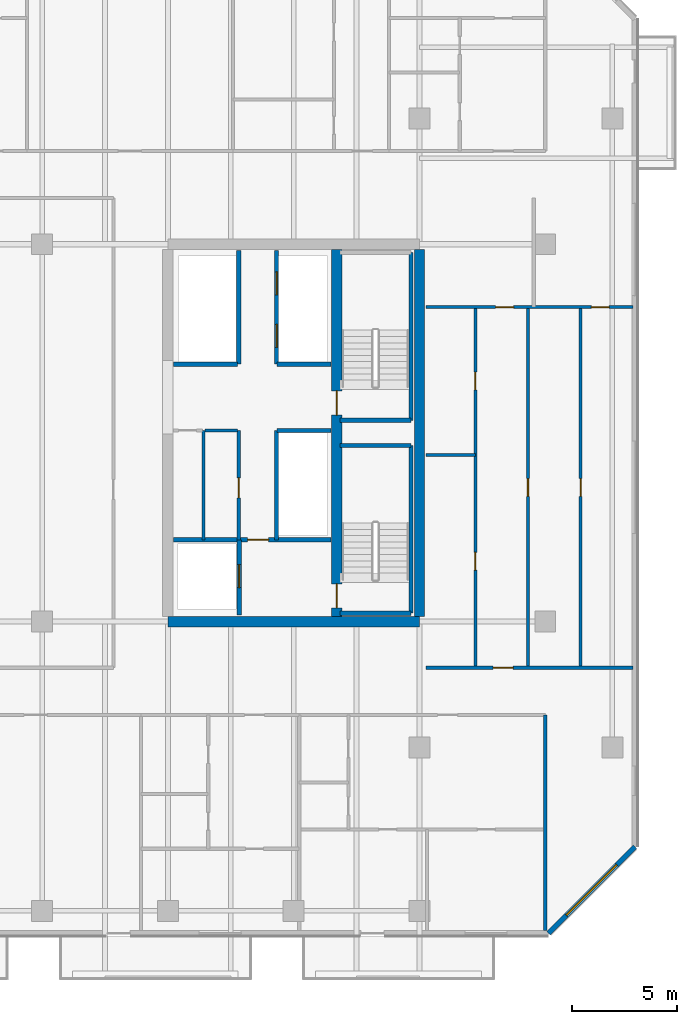
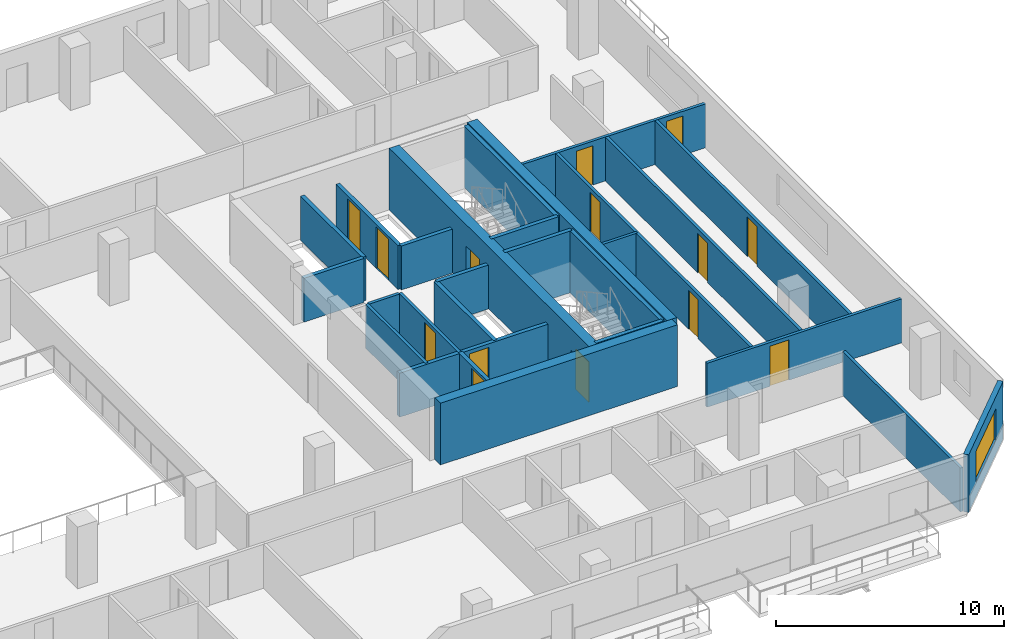
# One storey, part 15 of 23: 27 walls, 14 doors, 1 window, 15 openings.
"""IFC4 building model written with IfcOpenShell, lengths in metres."""

import ifcopenshell
import ifcopenshell.guid

model = None  # the IFC model being written
_history = None  # IfcOwnerHistory: only IFC2X3 demands one
_inside = {}  # id of a spatial element -> (the spatial element, [elements in it])
_under = {}  # id of a project, library or spatial element -> (it, [spatial elements below it])
_declared = {}  # id of a project -> (the project, [libraries it declares])
_typed = {}  # id of a type object -> (the type object, [elements of that type])
_made_of = {}  # id of a material, layer set ... -> (it, [elements and type objects made of it])


def new_model(schema):
    """Start an empty IFC model of exactly this schema.

    Asked for "IFC4X3", IfcOpenShell would pick the latest addendum, in which some entities
    have other attributes; the version numbers below select the first issue.
    IFC2X3 requires an IfcOwnerHistory on every rooted entity: one is made here for all.
    """
    global model, _history
    if schema == "IFC4X3":
        model = ifcopenshell.file(schema_version=(4, 3, 0, 0))
    else:
        model = ifcopenshell.file(schema=schema)
    _inside.clear()
    _under.clear()
    _declared.clear()
    _typed.clear()
    _made_of.clear()
    _history = None
    if model.schema == "IFC2X3":
        org = make("IfcOrganization", Name="unknown")
        user = make(
            "IfcPersonAndOrganization",
            ThePerson=make("IfcPerson", FamilyName="unknown"),
            TheOrganization=org,
        )
        app = make(
            "IfcApplication",
            ApplicationDeveloper=org,
            Version="unknown",
            ApplicationFullName="unknown",
            ApplicationIdentifier="unknown",
        )
        _history = make(
            "IfcOwnerHistory",
            OwningUser=user,
            OwningApplication=app,
            ChangeAction="ADDED",
            CreationDate=0,
        )
    return model


def make(cls, **values):
    """One entity of the class cls with the attributes given. An attribute that is None is left unset."""
    return model.create_entity(
        cls, **{name: value for name, value in values.items() if value is not None}
    )


def rooted(cls, **values):
    """An entity with a GlobalId (a new one), such as an element, a storey or a relation."""
    return make(cls, GlobalId=ifcopenshell.guid.new(), OwnerHistory=_history, **values)


def si_unit(unit_type, name, prefix=None):
    """IfcSIUnit, for example si_unit("LENGTHUNIT", "METRE", prefix="MILLI")."""
    return make("IfcSIUnit", UnitType=unit_type, Prefix=prefix, Name=name)


def assignment(units):
    """IfcUnitAssignment: the units of a project."""
    return None if units is None else make("IfcUnitAssignment", Units=units)


def point(xyz):
    """IfcCartesianPoint."""
    return None if xyz is None else make("IfcCartesianPoint", Coordinates=xyz)


def direction(xyz):
    """IfcDirection."""
    return None if xyz is None else make("IfcDirection", DirectionRatios=xyz)


def frame(location, z_axis=None, x_axis=None):
    """IfcAxis2Placement3D, a coordinate frame: its origin and axes. An axis left out is left unset."""
    return make(
        "IfcAxis2Placement3D",
        Location=point(location),
        Axis=direction(z_axis),
        RefDirection=direction(x_axis),
    )


def frame_2d(location, x_axis=None):
    """IfcAxis2Placement2D, a coordinate frame in the plane: its origin and x axis."""
    return make(
        "IfcAxis2Placement2D", Location=point(location), RefDirection=direction(x_axis)
    )


def origin():
    """The frame at (0, 0, 0) with its axes left unset."""
    return frame((0.0, 0.0, 0.0))


def place(relative_to, where):
    """IfcLocalPlacement: puts the frame where relative to a parent placement (None: the world)."""
    return make(
        "IfcLocalPlacement", PlacementRelTo=relative_to, RelativePlacement=where
    )


def context(
    kind, dimensions, precision=None, world=None, true_north=None, identifier=None
):
    """IfcGeometricRepresentationContext, for example the 3D "Model" context."""
    return make(
        "IfcGeometricRepresentationContext",
        ContextIdentifier=identifier,
        ContextType=kind,
        CoordinateSpaceDimension=dimensions,
        Precision=precision,
        WorldCoordinateSystem=world,
        TrueNorth=true_north,
    )


def subcontext(parent, identifier, kind, view, scale=None):
    """IfcGeometricRepresentationSubContext, for example "Body" below "Model"."""
    return make(
        "IfcGeometricRepresentationSubContext",
        ContextIdentifier=identifier,
        ContextType=kind,
        ParentContext=parent,
        TargetScale=scale,
        TargetView=view,
    )


def project(units=None, contexts=None):
    """IfcProject with its units and contexts."""
    return rooted(
        "IfcProject",
        Name="project",
        RepresentationContexts=contexts,
        UnitsInContext=assignment(units),
    )


def spatial(cls, under=None, at=None, **own):
    """A site, building, storey or space (cls), placed at a placement, below another one or the project."""
    s = rooted(cls, ObjectPlacement=at, **own)
    if under is not None:
        _under.setdefault(under.id(), (under, []))[1].append(s)
    return s


def profile(cls, at=None, kind="AREA", **sizes):
    """A parametric profile (cls). Its sizes go by their IFC names, for example OverallWidth=200.0."""
    return make(cls, ProfileType=kind, Position=at, **sizes)


def rectangle(**sizes):
    """IfcRectangleProfileDef."""
    return profile("IfcRectangleProfileDef", **sizes)


def extrude(swept, where, along, depth):
    """IfcExtrudedAreaSolid: the profile swept, set in the frame where, extruded along a direction by depth."""
    return make(
        "IfcExtrudedAreaSolid",
        SweptArea=swept,
        Position=where,
        ExtrudedDirection=direction(along),
        Depth=depth,
    )


def shape(context_of_items, identifier, shape_type, items):
    """IfcShapeRepresentation: the items that make up one representation, for example the "Body"."""
    return make(
        "IfcShapeRepresentation",
        ContextOfItems=context_of_items,
        RepresentationIdentifier=identifier,
        RepresentationType=shape_type,
        Items=items,
    )


def material(Name=None, Category=None):
    """IfcMaterial."""
    return make("IfcMaterial", Name=Name, Category=Category)


def layer(
    of_material, thickness, ventilated=None, Name=None, Category=None, Priority=None
):
    """IfcMaterialLayer: one layer of a wall or slab, of a material (None: an air gap)."""
    return make(
        "IfcMaterialLayer",
        Material=of_material,
        LayerThickness=thickness,
        IsVentilated=ventilated,
        Name=Name,
        Category=Category,
        Priority=Priority,
    )


def layer_set(layers, Name=None):
    """IfcMaterialLayerSet."""
    return make("IfcMaterialLayerSet", MaterialLayers=layers, LayerSetName=Name)


def made_of(thing, what):
    """Note that an element or type object is made of a material, layer set ...; save() writes the relation."""
    if what is not None:
        _made_of.setdefault(what.id(), (what, []))[1].append(thing)
    return thing


def type_object(cls, material=None, **own):
    """A type object (cls), such as IfcWallType, which elements share."""
    return made_of(rooted(cls, **own), material)


def element(
    cls,
    number,
    at=None,
    inside=None,
    cuts=None,
    type_object=None,
    material=None,
    context=None,
    identifier="Body",
    shape_type=None,
    held_by="IfcProductDefinitionShape",
    body=None,
    shapes=None,
    **own,
):
    """One element of the class cls, such as IfcWall. Its Tag is "e" and its number.

    at: its placement. inside: the storey or other place that contains it. cuts: it is an
    opening in that element (IfcRelVoidsElement). A single representation is given by context,
    identifier, shape_type and body (its items); several are given by shapes. held_by: the class
    of the entity that holds the representations. save() writes the other relations.
    """
    e = rooted(cls, Tag="e%d" % number, ObjectPlacement=at, **own)
    if body is not None:
        shapes = [shape(context, identifier, shape_type, body)]
    if shapes is not None:
        e.Representation = make(held_by, Representations=shapes)
    if inside is not None:
        _inside.setdefault(inside.id(), (inside, []))[1].append(e)
    if cuts is not None:
        rooted(
            "IfcRelVoidsElement", RelatingBuildingElement=cuts, RelatedOpeningElement=e
        )
    if type_object is not None:
        _typed.setdefault(type_object.id(), (type_object, []))[1].append(e)
    return made_of(e, material)


def fill(opening, filler):
    """IfcRelFillsElement: the door or window that sits in an opening."""
    return rooted(
        "IfcRelFillsElement",
        RelatingOpeningElement=opening,
        RelatedBuildingElement=filler,
    )


def aggregate(whole, parts):
    """IfcRelAggregates: a whole, such as a stair, and the parts it consists of."""
    return rooted("IfcRelAggregates", RelatingObject=whole, RelatedObjects=parts)


def save(model, path):
    """Write the relations noted so far, then the file.

    IfcRelAggregates (storeys below a building ...), IfcRelContainedInSpatialStructure (elements
    in a storey), IfcRelDefinesByType, IfcRelAssociatesMaterial and IfcRelDeclares: one each for
    every whole, place, type object, material and project.
    """
    for whole, parts in _under.values():
        aggregate(whole, parts)
    for where, things in _inside.values():
        rooted(
            "IfcRelContainedInSpatialStructure",
            RelatedElements=things,
            RelatingStructure=where,
        )
    for kind, things in _typed.values():
        rooted("IfcRelDefinesByType", RelatedObjects=things, RelatingType=kind)
    for what, things in _made_of.values():
        rooted("IfcRelAssociatesMaterial", RelatedObjects=things, RelatingMaterial=what)
    for by, libraries in _declared.values():
        rooted("IfcRelDeclares", RelatingContext=by, RelatedDefinitions=libraries)
    model.write(path)


model = new_model("IFC4")

# Units and contexts
model_context = context("Model", 3, precision=1e-05, world=origin(), true_north=direction((0.0, 1.0)))
body_context = subcontext(model_context, "Body", "Model", "MODEL_VIEW")
ifc_project = project(units=[si_unit("LENGTHUNIT", "METRE"), si_unit("AREAUNIT", "SQUARE_METRE"), si_unit("VOLUMEUNIT", "CUBIC_METRE"), si_unit("PLANEANGLEUNIT", "RADIAN"), si_unit("MASSUNIT", "GRAM", prefix="KILO")], contexts=[model_context])

# Site, building, storey
site_placement = place(None, origin())
site = spatial("IfcSite", under=ifc_project, at=site_placement, CompositionType="ELEMENT")
building_placement = place(site_placement, origin())
building = spatial("IfcBuilding", under=site, at=building_placement, Name="Tanjung Sevakor Pilgrim Tower", CompositionType="ELEMENT")
storey_placement = place(building_placement, frame((0.0, 0.0, 82.169921875)))
storey = spatial("IfcBuildingStorey", under=building, at=storey_placement, Name="L22", CompositionType="ELEMENT", Elevation=82.169921875)

# Walls
ifc_material_1 = material(Name="Concrete C60/75", Category="concrete")
ifc_layer_1 = layer(ifc_material_1, 0.5)
ifc_layer_set_1 = layer_set([ifc_layer_1], Name="WALL-CW-500")
wall_type_1 = type_object("IfcWallType", Name="WALL-CW-500", PredefinedType="SHEAR", material=ifc_layer_set_1)
wall_1_placement = place(storey_placement, frame((78.0, 24.60009765625, 0.0), z_axis=(0.0, 0.0, 1.0), x_axis=(1.0, 0.0, 0.0)))
element("IfcWall", 1, at=wall_1_placement, inside=storey, type_object=wall_type_1, Name="L22 E Core South Shear Wall", PredefinedType="SHEAR", context=body_context, shape_type="SweptSolid", body=[
    extrude(rectangle(XDim=12.0, YDim=0.5, at=frame_2d((6.0, 0.0))), origin(), (0.0, 0.0, 1.0), 3.300048828125),
])
wall_2_placement = place(storey_placement, frame((90.0, 24.85009765625, 0.0), z_axis=(0.0, 0.0, 1.0), x_axis=(0.0, 1.0, 0.0)))
element("IfcWall", 2, at=wall_2_placement, inside=storey, type_object=wall_type_1, Name="L22 E Core Outer Shear Wall", PredefinedType="SHEAR", context=body_context, shape_type="SweptSolid", body=[
    extrude(rectangle(XDim=17.5, YDim=0.5, at=frame_2d((8.75, 0.0))), origin(), (0.0, 0.0, 1.0), 3.300048828125),
])

# Wall, openings, doors
wall_3_placement = place(storey_placement, frame((86.050048828125, 24.85009765625, 0.0), z_axis=(0.0, 0.0, 1.0), x_axis=(0.0, 1.0, 0.0)))
wall_3 = element("IfcWall", 3, at=wall_3_placement, inside=storey, type_object=wall_type_1, Name="L22 E Core Stair Spine Wall", PredefinedType="SHEAR", context=body_context, shape_type="SweptSolid", body=[
    extrude(rectangle(XDim=17.5, YDim=0.5, at=frame_2d((8.75, 0.0))), origin(), (0.0, 0.0, 1.0), 3.300048828125),
])
opening_1_placement = place(wall_3_placement, frame((0.39990234375, 0.0, 0.0)))
opening_1 = element("IfcOpeningElement", 4, at=opening_1_placement, cuts=wall_3, Name="Opening ID-ST1", PredefinedType="OPENING", context=body_context, shape_type="SweptSolid", body=[
    extrude(rectangle(XDim=1.14990234375, YDim=2.14990234375, at=frame_2d((0.574951171875, 1.074951171875))), frame((0.0, 0.260009765625, 0.0), z_axis=(0.0, -1.0, 0.0), x_axis=(1.0, 0.0, 0.0)), (0.0, 0.0, 1.0), 0.52001953125),
])
opening_2_placement = place(wall_3_placement, frame((9.60009765625, 0.0, 0.0)))
opening_2 = element("IfcOpeningElement", 5, at=opening_2_placement, cuts=wall_3, Name="Opening ID-ST1", PredefinedType="OPENING", context=body_context, shape_type="SweptSolid", body=[
    extrude(rectangle(XDim=1.14990234375, YDim=2.14990234375, at=frame_2d((0.574951171875, 1.074951171875))), frame((0.0, 0.260009765625, 0.0), z_axis=(0.0, -1.0, 0.0), x_axis=(1.0, 0.0, 0.0)), (0.0, 0.0, 1.0), 0.52001953125),
])
ifc_material_2 = material(Name="Fire-Rated Steel S355J2", Category="steel")
door_type_1 = type_object("IfcDoorType", Name="DT-FIRE-1150", OperationType="NOTDEFINED", PredefinedType="DOOR", material=ifc_material_2)
door_1_placement = place(opening_1_placement, origin())
door_1 = element("IfcDoor", 6, at=door_1_placement, inside=storey, type_object=door_type_1, Name="L22 TS-E1 Stair Fire Door", OperationType="SINGLE_SWING_LEFT", OverallHeight=2.14990234375, OverallWidth=1.14990234375, PredefinedType="DOOR", context=body_context, shape_type="SweptSolid", body=[
    extrude(rectangle(XDim=1.14990234375, YDim=2.14990234375, at=frame_2d((0.574951171875, 1.074951171875))), frame((0.0, 0.02490234375, 0.0), z_axis=(0.0, -1.0, 0.0), x_axis=(1.0, 0.0, 0.0)), (0.0, 0.0, 1.0), 0.050048828125),
])
fill(opening_1, door_1)
door_2_placement = place(opening_2_placement, origin())
door_2 = element("IfcDoor", 7, at=door_2_placement, inside=storey, type_object=door_type_1, Name="L22 TS-E2 Stair Fire Door", OperationType="SINGLE_SWING_RIGHT", OverallHeight=2.14990234375, OverallWidth=1.14990234375, PredefinedType="DOOR", context=body_context, shape_type="SweptSolid", body=[
    extrude(rectangle(XDim=1.14990234375, YDim=2.14990234375, at=frame_2d((0.574951171875, 1.074951171875))), frame((0.0, 0.02490234375, 0.0), z_axis=(0.0, -1.0, 0.0), x_axis=(1.0, 0.0, 0.0)), (0.0, 0.0, 1.0), 0.050048828125),
])
fill(opening_2, door_2)

# Walls
ifc_material_3 = material(Name="Concrete C40/50", Category="concrete")
ifc_layer_2 = layer(ifc_material_3, 0.14990234375)
ifc_layer_set_2 = layer_set([ifc_layer_2], Name="WT-COMP-150")
wall_type_2 = type_object("IfcWallType", Name="WT-COMP-150", PredefinedType="SOLIDWALL", material=ifc_layer_set_2)
wall_4_placement = place(storey_placement, frame((79.699951171875, 28.5, 0.0), z_axis=(0.0, 0.0, 1.0), x_axis=(0.0, 1.0, 0.0)))
element("IfcWall", 8, at=wall_4_placement, inside=storey, type_object=wall_type_2, Name="L22 Partition IW-L22-017", PredefinedType="SOLIDWALL", context=body_context, shape_type="SweptSolid", body=[
    extrude(rectangle(XDim=5.219970703125, YDim=0.14990234375, at=frame_2d((2.60986328125, 0.0))), origin(), (0.0, 0.0, 1.0), 2.35009765625),
])
wall_5_placement = place(storey_placement, frame((79.760009765625, 33.719970703125, 0.0), z_axis=(0.0, 0.0, 1.0), x_axis=(1.0, 0.0, 0.0)))
element("IfcWall", 9, at=wall_5_placement, inside=storey, type_object=wall_type_2, Name="L22 Partition IW-L22-018", PredefinedType="SOLIDWALL", context=body_context, shape_type="SweptSolid", body=[
    extrude(rectangle(XDim=1.56005859375, YDim=0.14990234375, at=frame_2d((0.780029296875, 0.0))), origin(), (0.0, 0.0, 1.0), 2.35009765625),
])

# Wall, opening, door
wall_6_placement = place(storey_placement, frame((81.3798828125, 28.5, 0.0), z_axis=(0.0, 0.0, 1.0), x_axis=(0.0, 1.0, 0.0)))
wall_6 = element("IfcWall", 10, at=wall_6_placement, inside=storey, type_object=wall_type_2, Name="L22 Partition IW-L22-020", PredefinedType="SOLIDWALL", context=body_context, shape_type="SweptSolid", body=[
    extrude(rectangle(XDim=5.219970703125, YDim=0.14990234375, at=frame_2d((2.60986328125, 0.0))), origin(), (0.0, 0.0, 1.0), 2.35009765625),
])
opening_3_placement = place(wall_6_placement, frame((2.0, 0.0, 0.0)))
opening_3 = element("IfcOpeningElement", 11, at=opening_3_placement, cuts=wall_6, Name="Opening ID-FD2", PredefinedType="OPENING", context=body_context, shape_type="SweptSolid", body=[
    extrude(rectangle(XDim=0.949951171875, YDim=2.14990234375, at=frame_2d((0.47509765625, 1.074951171875))), frame((0.0, 0.0849609375, 0.0), z_axis=(0.0, -1.0, 0.0), x_axis=(1.0, 0.0, 0.0)), (0.0, 0.0, 1.0), 0.169921875),
])
ifc_material_4 = material(Name="Fire-Rated Timber", Category="wood")
door_type_2 = type_object("IfcDoorType", Name="DT-FIRE-950", OperationType="NOTDEFINED", PredefinedType="DOOR", material=ifc_material_4)
door_3_placement = place(opening_3_placement, origin())
door_3 = element("IfcDoor", 12, at=door_3_placement, inside=storey, type_object=door_type_2, Name="L22 Accessible WC Door", OperationType="SINGLE_SWING_RIGHT", OverallHeight=2.14990234375, OverallWidth=0.949951171875, PredefinedType="DOOR", context=body_context, shape_type="SweptSolid", body=[
    extrude(rectangle(XDim=0.949951171875, YDim=2.14990234375, at=frame_2d((0.47509765625, 1.074951171875))), frame((0.0, 0.02490234375, 0.0), z_axis=(0.0, -1.0, 0.0), x_axis=(1.0, 0.0, 0.0)), (0.0, 0.0, 1.0), 0.050048828125),
])
fill(opening_3, door_3)

wall_7_placement = place(storey_placement, frame((90.320068359375, 22.39990234375, 0.0), z_axis=(0.0, 0.0, 1.0), x_axis=(1.0, 0.0, 0.0)))
wall_7 = element("IfcWall", 13, at=wall_7_placement, inside=storey, type_object=wall_type_2, Name="L22 Partition IW-L22-040", PredefinedType="SOLIDWALL", context=body_context, shape_type="SweptSolid", body=[
    extrude(rectangle(XDim=9.869873046875, YDim=0.14990234375, at=frame_2d((4.93505859375, 0.0))), origin(), (0.0, 0.0, 1.0), 2.35009765625),
])
opening_4_placement = place(wall_7_placement, frame((3.193359375, 0.0, 0.0)))
opening_4 = element("IfcOpeningElement", 14, at=opening_4_placement, cuts=wall_7, Name="Opening ID-FD2", PredefinedType="OPENING", context=body_context, shape_type="SweptSolid", body=[
    extrude(rectangle(XDim=0.949951171875, YDim=2.14990234375, at=frame_2d((0.47509765625, 1.074951171875))), frame((0.0, 0.0849609375, 0.0), z_axis=(0.0, -1.0, 0.0), x_axis=(1.0, 0.0, 0.0)), (0.0, 0.0, 1.0), 0.169921875),
])
door_4_placement = place(opening_4_placement, origin())
door_4 = element("IfcDoor", 15, at=door_4_placement, inside=storey, type_object=door_type_2, Name="Suite Entrance", OperationType="SINGLE_SWING_RIGHT", OverallHeight=2.14990234375, OverallWidth=0.949951171875, PredefinedType="DOOR", context=body_context, shape_type="SweptSolid", body=[
    extrude(rectangle(XDim=0.949951171875, YDim=2.14990234375, at=frame_2d((0.47509765625, 1.074951171875))), frame((0.0, 0.02490234375, 0.0), z_axis=(0.0, -1.0, 0.0), x_axis=(1.0, 0.0, 0.0)), (0.0, 0.0, 1.0), 0.050048828125),
])
fill(opening_4, door_4)

# Wall
wall_8_placement = place(storey_placement, frame((96.0, 9.85009765625, 0.0), z_axis=(0.0, 0.0, 1.0), x_axis=(0.0, 1.0, 0.0)))
element("IfcWall", 16, at=wall_8_placement, inside=storey, type_object=wall_type_2, Name="L22 Partition IW-L22-060", PredefinedType="SOLIDWALL", context=body_context, shape_type="SweptSolid", body=[
    extrude(rectangle(XDim=10.2998046875, YDim=0.14990234375, at=frame_2d((5.14990234375, 0.0))), origin(), (0.0, 0.0, 1.0), 2.35009765625),
])

# Wall, opening, window
ifc_material_5 = material(Name="Precast concrete C45/55", Category="concrete")
ifc_layer_3 = layer(ifc_material_5, 0.25)
ifc_layer_set_3 = layer_set([ifc_layer_3], Name="WT-EW-STN3")
wall_type_3 = type_object("IfcWallType", Name="WT-EW-STN3", PredefinedType="SOLIDWALL", material=ifc_layer_set_3)
wall_9_placement = place(storey_placement, frame((96.148193359375, 9.72509765625, 0.0), z_axis=(0.0, 0.0, 1.0), x_axis=(0.707106781187, 0.707106781187, 0.0)))
wall_9 = element("IfcWall", 17, at=wall_9_placement, inside=storey, type_object=wall_type_3, Name="L22 MAIN Sculpted Corner Wall 5", PredefinedType="SOLIDWALL", context=body_context, shape_type="SweptSolid", body=[
    extrude(rectangle(XDim=5.8359375, YDim=0.25, at=frame_2d((2.91796875, 0.0))), origin(), (0.0, 0.0, 1.0), 3.080078125),
])
opening_5_placement = place(wall_9_placement, frame((1.218017578125, 0.0, 0.780029296875)))
opening_5 = element("IfcOpeningElement", 18, at=opening_5_placement, cuts=wall_9, Name="Opening WN-CHM-1660", PredefinedType="OPENING", context=body_context, shape_type="SweptSolid", body=[
    extrude(rectangle(XDim=3.39990234375, YDim=1.659912109375, at=frame_2d((1.699951171875, 0.830078125))), frame((0.0, 0.135009765625, 0.0), z_axis=(0.0, -1.0, 0.0), x_axis=(1.0, 0.0, 0.0)), (0.0, 0.0, 1.0), 0.27001953125),
])
ifc_material_6 = material(Name="Thermally Broken Aluminium and Low-E Glass", Category="aluminium")
window_type = type_object("IfcWindowType", Name="WTYP-WN-CHM-1660", PartitioningType="DOUBLE_PANEL_VERTICAL", PredefinedType="WINDOW", material=ifc_material_6)
window_placement = place(opening_5_placement, origin())
window = element("IfcWindow", 19, at=window_placement, inside=storey, type_object=window_type, Name="L22 Facade Window 01", OverallHeight=1.659912109375, OverallWidth=3.39990234375, PartitioningType="SINGLE_PANEL", PredefinedType="WINDOW", context=body_context, shape_type="SweptSolid", body=[
    extrude(rectangle(XDim=3.39990234375, YDim=1.659912109375, at=frame_2d((1.699951171875, 0.830078125))), frame((0.0, 0.030029296875, 0.0), z_axis=(0.0, -1.0, 0.0), x_axis=(1.0, 0.0, 0.0)), (0.0, 0.0, 1.0), 0.06005859375),
])
fill(opening_5, window)

# Walls
ifc_material_7 = material(Name="Concrete C40/50", Category="concrete")
ifc_layer_4 = layer(ifc_material_7, 0.199951171875)
ifc_layer_set_4 = layer_set([ifc_layer_4], Name="WT-FIRE-200")
wall_type_4 = type_object("IfcWallType", Name="WT-FIRE-200", PredefinedType="SOLIDWALL", material=ifc_layer_set_4)
wall_10_placement = place(storey_placement, frame((86.199951171875, 25.0, 0.0), z_axis=(0.0, 0.0, 1.0), x_axis=(1.0, 0.0, 0.0)))
element("IfcWall", 20, at=wall_10_placement, inside=storey, type_object=wall_type_4, Name="L22 TS-E1 Shaft Wall 1", PredefinedType="SOLIDWALL", context=body_context, shape_type="SweptSolid", body=[
    extrude(rectangle(XDim=3.400146484375, YDim=0.199951171875, at=frame_2d((1.7001953125, 0.0))), origin(), (0.0, 0.0, 1.0), 3.300048828125),
])
wall_11_placement = place(storey_placement, frame((89.60009765625, 25.0, 0.0), z_axis=(0.0, 0.0, 1.0), x_axis=(0.0, 1.0, 0.0)))
element("IfcWall", 21, at=wall_11_placement, inside=storey, type_object=wall_type_4, Name="L22 TS-E1 Shaft Wall 2", PredefinedType="SOLIDWALL", context=body_context, shape_type="SweptSolid", body=[
    extrude(rectangle(XDim=8.0, YDim=0.199951171875, at=frame_2d((4.0, 0.0))), origin(), (0.0, 0.0, 1.0), 3.300048828125),
])
for number, where, z_axis, x_axis, name in (
    (22, (89.60009765625, 33.0, 0.0), (0.0, 0.0, 1.0), (-1.0, 0.0, 0.0), "L22 TS-E1 Shaft Wall 3"),
    (23, (86.199951171875, 34.199951171875, 0.0), (0.0, 0.0, 1.0), (1.0, 0.0, 0.0), "L22 TS-E2 Shaft Wall 1"),
):
    element("IfcWall", number, at=place(storey_placement, frame(where, z_axis=z_axis, x_axis=x_axis)), inside=storey, type_object=wall_type_4, Name=name, PredefinedType="SOLIDWALL", context=body_context, shape_type="SweptSolid", body=[
        extrude(rectangle(XDim=3.400146484375, YDim=0.199951171875, at=frame_2d((1.7001953125, 0.0))), origin(), (0.0, 0.0, 1.0), 3.300048828125),
    ])
wall_12_placement = place(storey_placement, frame((89.60009765625, 34.199951171875, 0.0), z_axis=(0.0, 0.0, 1.0), x_axis=(0.0, 1.0, 0.0)))
element("IfcWall", 24, at=wall_12_placement, inside=storey, type_object=wall_type_4, Name="L22 TS-E2 Shaft Wall 2", PredefinedType="SOLIDWALL", context=body_context, shape_type="SweptSolid", body=[
    extrude(rectangle(XDim=8.0, YDim=0.199951171875, at=frame_2d((4.0, 0.0))), origin(), (0.0, 0.0, 1.0), 3.300048828125),
])

# Wall, opening, door
ifc_material_8 = material(Name="Concrete C40/50", Category="concrete")
ifc_layer_5 = layer(ifc_material_8, 0.199951171875)
ifc_layer_set_5 = layer_set([ifc_layer_5], Name="WT-FPRT-200")
wall_type_5 = type_object("IfcWallType", Name="WT-FPRT-200", PredefinedType="SOLIDWALL", material=ifc_layer_set_5)
wall_13_placement = place(storey_placement, frame((81.39990234375, 24.919921875, 0.0), z_axis=(0.0, 0.0, 1.0), x_axis=(0.0, 1.0, 0.0)))
wall_13 = element("IfcWall", 25, at=wall_13_placement, inside=storey, type_object=wall_type_5, Name="L22 Partition IW-L22-013", PredefinedType="SOLIDWALL", context=body_context, shape_type="SweptSolid", body=[
    extrude(rectangle(XDim=3.580078125, YDim=0.199951171875, at=frame_2d((1.7900390625, 0.0))), origin(), (0.0, 0.0, 1.0), 2.35009765625),
])
opening_6_placement = place(wall_13_placement, frame((1.300048828125, 0.0, 0.0)))
opening_6 = element("IfcOpeningElement", 26, at=opening_6_placement, cuts=wall_13, Name="Opening LD-1100", PredefinedType="OPENING", context=body_context, shape_type="SweptSolid", body=[
    extrude(rectangle(XDim=1.10009765625, YDim=2.199951171875, at=frame_2d((0.550048828125, 1.10009765625))), frame((0.0, 0.10986328125, 0.0), z_axis=(0.0, -1.0, 0.0), x_axis=(1.0, 0.0, 0.0)), (0.0, 0.0, 1.0), 0.219970703125),
])
ifc_material_9 = material(Name="Brushed Stainless Steel S355J2", Category="steel")
door_type_3 = type_object("IfcDoorType", Name="DT-LIFT-1100", OperationType="SLIDING_TO_LEFT", PredefinedType="DOOR", material=ifc_material_9)
door_5_placement = place(opening_6_placement, origin())
door_5 = element("IfcDoor", 27, at=door_5_placement, inside=storey, type_object=door_type_3, Name="LD-FL-E", OperationType="SLIDING_TO_LEFT", OverallHeight=2.199951171875, OverallWidth=1.10009765625, PredefinedType="DOOR", context=body_context, shape_type="SweptSolid", body=[
    extrude(rectangle(XDim=1.10009765625, YDim=2.199951171875, at=frame_2d((0.550048828125, 1.10009765625))), frame((0.0, 0.02490234375, 0.0), z_axis=(0.0, -1.0, 0.0), x_axis=(1.0, 0.0, 0.0)), (0.0, 0.0, 1.0), 0.050048828125),
])
fill(opening_6, door_5)

wall_14_placement = place(storey_placement, frame((78.27001953125, 28.5, 0.0), z_axis=(0.0, 0.0, 1.0), x_axis=(1.0, 0.0, 0.0)))
wall_14 = element("IfcWall", 28, at=wall_14_placement, inside=storey, type_object=wall_type_5, Name="L22 Partition IW-L22-014", PredefinedType="SOLIDWALL", context=body_context, shape_type="SweptSolid", body=[
    extrude(rectangle(XDim=7.510009765625, YDim=0.199951171875, at=frame_2d((3.7548828125, 0.0))), origin(), (0.0, 0.0, 1.0), 2.35009765625),
])
opening_7_placement = place(wall_14_placement, frame((3.530029296875, 0.0, 0.0)))
opening_7 = element("IfcOpeningElement", 29, at=opening_7_placement, cuts=wall_14, Name="Opening ID-FD1", PredefinedType="OPENING", context=body_context, shape_type="SweptSolid", body=[
    extrude(rectangle(XDim=1.0, YDim=2.14990234375, at=frame_2d((0.5, 1.074951171875))), frame((0.0, 0.10986328125, 0.0), z_axis=(0.0, -1.0, 0.0), x_axis=(1.0, 0.0, 0.0)), (0.0, 0.0, 1.0), 0.219970703125),
])
ifc_material_10 = material(Name="Fire-Rated Steel S355J2", Category="steel")
door_type_4 = type_object("IfcDoorType", Name="DT-FIRE-1000", OperationType="NOTDEFINED", PredefinedType="DOOR", material=ifc_material_10)
door_6_placement = place(opening_7_placement, origin())
door_6 = element("IfcDoor", 30, at=door_6_placement, inside=storey, type_object=door_type_4, Name="Fire Lobby Door E", OperationType="SINGLE_SWING_RIGHT", OverallHeight=2.14990234375, OverallWidth=1.0, PredefinedType="DOOR", context=body_context, shape_type="SweptSolid", body=[
    extrude(rectangle(XDim=1.0, YDim=2.14990234375, at=frame_2d((0.5, 1.074951171875))), frame((0.0, 0.02490234375, 0.0), z_axis=(0.0, -1.0, 0.0), x_axis=(1.0, 0.0, 0.0)), (0.0, 0.0, 1.0), 0.050048828125),
])
fill(opening_7, door_6)

# Walls
wall_15_placement = place(storey_placement, frame((83.199951171875, 33.719970703125, 0.0), z_axis=(0.0, 0.0, 1.0), x_axis=(1.0, 0.0, 0.0)))
element("IfcWall", 31, at=wall_15_placement, inside=storey, type_object=wall_type_5, Name="L22 Partition IW-L22-015", PredefinedType="SOLIDWALL", context=body_context, shape_type="SweptSolid", body=[
    extrude(rectangle(XDim=2.580078125, YDim=0.199951171875, at=frame_2d((1.2900390625, 0.0))), origin(), (0.0, 0.0, 1.0), 2.35009765625),
])
wall_16_placement = place(storey_placement, frame((83.179931640625, 28.5, 0.0), z_axis=(0.0, 0.0, 1.0), x_axis=(0.0, 1.0, 0.0)))
element("IfcWall", 32, at=wall_16_placement, inside=storey, type_object=wall_type_5, Name="L22 Partition IW-L22-016", PredefinedType="SOLIDWALL", context=body_context, shape_type="SweptSolid", body=[
    extrude(rectangle(XDim=5.219970703125, YDim=0.199951171875, at=frame_2d((2.60986328125, 0.0))), origin(), (0.0, 0.0, 1.0), 2.35009765625),
])
wall_17_placement = place(storey_placement, frame((83.199951171875, 36.8798828125, 0.0), z_axis=(0.0, 0.0, 1.0), x_axis=(1.0, 0.0, 0.0)))
element("IfcWall", 33, at=wall_17_placement, inside=storey, type_object=wall_type_5, Name="L22 Partition IW-L22-021", PredefinedType="SOLIDWALL", context=body_context, shape_type="SweptSolid", body=[
    extrude(rectangle(XDim=2.580078125, YDim=0.199951171875, at=frame_2d((1.2900390625, 0.0))), origin(), (0.0, 0.0, 1.0), 2.35009765625),
])

# Wall, openings, doors
wall_18_placement = place(storey_placement, frame((83.179931640625, 36.8798828125, 0.0), z_axis=(0.0, 0.0, 1.0), x_axis=(0.0, 1.0, 0.0)))
wall_18 = element("IfcWall", 34, at=wall_18_placement, inside=storey, type_object=wall_type_5, Name="L22 Partition IW-L22-022", PredefinedType="SOLIDWALL", context=body_context, shape_type="SweptSolid", body=[
    extrude(rectangle(XDim=5.420166015625, YDim=0.199951171875, at=frame_2d((2.7099609375, 0.0))), origin(), (0.0, 0.0, 1.0), 2.35009765625),
])
opening_8_placement = place(wall_18_placement, frame((0.800048828125, 0.0, 0.0)))
opening_8 = element("IfcOpeningElement", 35, at=opening_8_placement, cuts=wall_18, Name="Opening LD-1100", PredefinedType="OPENING", context=body_context, shape_type="SweptSolid", body=[
    extrude(rectangle(XDim=1.10009765625, YDim=2.199951171875, at=frame_2d((0.550048828125, 1.10009765625))), frame((0.0, 0.10986328125, 0.0), z_axis=(0.0, -1.0, 0.0), x_axis=(1.0, 0.0, 0.0)), (0.0, 0.0, 1.0), 0.219970703125),
])
opening_9_placement = place(wall_18_placement, frame((3.300048828125, 0.0, 0.0)))
opening_9 = element("IfcOpeningElement", 36, at=opening_9_placement, cuts=wall_18, Name="Opening LD-1100", PredefinedType="OPENING", context=body_context, shape_type="SweptSolid", body=[
    extrude(rectangle(XDim=1.10009765625, YDim=2.199951171875, at=frame_2d((0.550048828125, 1.10009765625))), frame((0.0, 0.10986328125, 0.0), z_axis=(0.0, -1.0, 0.0), x_axis=(1.0, 0.0, 0.0)), (0.0, 0.0, 1.0), 0.219970703125),
])
door_7_placement = place(opening_8_placement, origin())
door_7 = element("IfcDoor", 37, at=door_7_placement, inside=storey, type_object=door_type_3, Name="LD-PLM1-E", OperationType="SLIDING_TO_LEFT", OverallHeight=2.199951171875, OverallWidth=1.10009765625, PredefinedType="DOOR", context=body_context, shape_type="SweptSolid", body=[
    extrude(rectangle(XDim=1.10009765625, YDim=2.199951171875, at=frame_2d((0.550048828125, 1.10009765625))), frame((0.0, 0.02490234375, 0.0), z_axis=(0.0, -1.0, 0.0), x_axis=(1.0, 0.0, 0.0)), (0.0, 0.0, 1.0), 0.050048828125),
])
fill(opening_8, door_7)
door_8_placement = place(opening_9_placement, origin())
door_8 = element("IfcDoor", 38, at=door_8_placement, inside=storey, type_object=door_type_3, Name="LD-PLM2-E", OperationType="SLIDING_TO_RIGHT", OverallHeight=2.199951171875, OverallWidth=1.10009765625, PredefinedType="DOOR", context=body_context, shape_type="SweptSolid", body=[
    extrude(rectangle(XDim=1.10009765625, YDim=2.199951171875, at=frame_2d((0.550048828125, 1.10009765625))), frame((0.0, 0.02490234375, 0.0), z_axis=(0.0, -1.0, 0.0), x_axis=(1.0, 0.0, 0.0)), (0.0, 0.0, 1.0), 0.050048828125),
])
fill(opening_9, door_8)

# Walls
wall_19_placement = place(storey_placement, frame((78.27001953125, 36.8798828125, 0.0), z_axis=(0.0, 0.0, 1.0), x_axis=(1.0, 0.0, 0.0)))
element("IfcWall", 39, at=wall_19_placement, inside=storey, type_object=wall_type_5, Name="L22 Partition IW-L22-023", PredefinedType="SOLIDWALL", context=body_context, shape_type="SweptSolid", body=[
    extrude(rectangle(XDim=3.050048828125, YDim=0.199951171875, at=frame_2d((1.52490234375, 0.0))), origin(), (0.0, 0.0, 1.0), 2.35009765625),
])
wall_20_placement = place(storey_placement, frame((81.3798828125, 36.8798828125, 0.0), z_axis=(0.0, 0.0, 1.0), x_axis=(0.0, 1.0, 0.0)))
element("IfcWall", 40, at=wall_20_placement, inside=storey, type_object=wall_type_5, Name="L22 Partition IW-L22-024", PredefinedType="SOLIDWALL", context=body_context, shape_type="SweptSolid", body=[
    extrude(rectangle(XDim=5.420166015625, YDim=0.199951171875, at=frame_2d((2.7099609375, 0.0))), origin(), (0.0, 0.0, 1.0), 2.35009765625),
])

# Wall, opening, door
ifc_material_11 = material(Name="Gypsum Board Partition", Category="gypsum board")
ifc_layer_6 = layer(ifc_material_11, 0.14990234375)
ifc_layer_set_6 = layer_set([ifc_layer_6], Name="WT-PART-150")
wall_type_6 = type_object("IfcWallType", Name="WT-PART-150", PredefinedType="PARTITIONING", material=ifc_layer_set_6)
wall_21_placement = place(storey_placement, frame((95.1767578125, 22.39990234375, 0.0), z_axis=(0.0, 0.0, 1.0), x_axis=(0.0, 1.0, 0.0)))
wall_21 = element("IfcWall", 41, at=wall_21_placement, inside=storey, type_object=wall_type_6, Name="L22 Partition IW-L22-034", PredefinedType="PARTITIONING", context=body_context, shape_type="SweptSolid", body=[
    extrude(rectangle(XDim=17.2001953125, YDim=0.14990234375, at=frame_2d((8.60009765625, 0.0))), origin(), (0.0, 0.0, 1.0), 2.35009765625),
])
opening_10_placement = place(wall_21_placement, frame((8.175048828125, 0.0, 0.0)))
opening_10 = element("IfcOpeningElement", 42, at=opening_10_placement, cuts=wall_21, Name="Opening ID-WC1", PredefinedType="OPENING", context=body_context, shape_type="SweptSolid", body=[
    extrude(rectangle(XDim=0.85009765625, YDim=2.10009765625, at=frame_2d((0.425048828125, 1.050048828125))), frame((0.0, 0.0849609375, 0.0), z_axis=(0.0, -1.0, 0.0), x_axis=(1.0, 0.0, 0.0)), (0.0, 0.0, 1.0), 0.169921875),
])
ifc_material_12 = material(Name="Moisture-Resistant Timber", Category="wood")
door_type_5 = type_object("IfcDoorType", Name="DT-INT-850", OperationType="NOTDEFINED", PredefinedType="DOOR", material=ifc_material_12)
door_9_placement = place(opening_10_placement, origin())
door_9 = element("IfcDoor", 43, at=door_9_placement, inside=storey, type_object=door_type_5, Name="Suite Study Room Door", OperationType="SINGLE_SWING_RIGHT", OverallHeight=2.10009765625, OverallWidth=0.85009765625, PredefinedType="DOOR", context=body_context, shape_type="SweptSolid", body=[
    extrude(rectangle(XDim=0.85009765625, YDim=2.10009765625, at=frame_2d((0.425048828125, 1.050048828125))), frame((0.0, 0.02490234375, 0.0), z_axis=(0.0, -1.0, 0.0), x_axis=(1.0, 0.0, 0.0)), (0.0, 0.0, 1.0), 0.050048828125),
])
fill(opening_10, door_9)

wall_22_placement = place(storey_placement, frame((97.683349609375, 22.39990234375, 0.0), z_axis=(0.0, 0.0, 1.0), x_axis=(0.0, 1.0, 0.0)))
wall_22 = element("IfcWall", 44, at=wall_22_placement, inside=storey, type_object=wall_type_6, Name="L22 Partition IW-L22-035", PredefinedType="PARTITIONING", context=body_context, shape_type="SweptSolid", body=[
    extrude(rectangle(XDim=17.2001953125, YDim=0.14990234375, at=frame_2d((8.60009765625, 0.0))), origin(), (0.0, 0.0, 1.0), 2.35009765625),
])
opening_11_placement = place(wall_22_placement, frame((8.175048828125, 0.0, 0.0)))
opening_11 = element("IfcOpeningElement", 45, at=opening_11_placement, cuts=wall_22, Name="Opening ID-WC1", PredefinedType="OPENING", context=body_context, shape_type="SweptSolid", body=[
    extrude(rectangle(XDim=0.85009765625, YDim=2.10009765625, at=frame_2d((0.425048828125, 1.050048828125))), frame((0.0, 0.0849609375, 0.0), z_axis=(0.0, -1.0, 0.0), x_axis=(1.0, 0.0, 0.0)), (0.0, 0.0, 1.0), 0.169921875),
])
door_10_placement = place(opening_11_placement, origin())
door_10 = element("IfcDoor", 46, at=door_10_placement, inside=storey, type_object=door_type_5, Name="Suite Reading Room Door", OperationType="SINGLE_SWING_LEFT", OverallHeight=2.10009765625, OverallWidth=0.85009765625, PredefinedType="DOOR", context=body_context, shape_type="SweptSolid", body=[
    extrude(rectangle(XDim=0.85009765625, YDim=2.10009765625, at=frame_2d((0.425048828125, 1.050048828125))), frame((0.0, 0.02490234375, 0.0), z_axis=(0.0, -1.0, 0.0), x_axis=(1.0, 0.0, 0.0)), (0.0, 0.0, 1.0), 0.050048828125),
])
fill(opening_11, door_10)

# Wall
wall_23_placement = place(storey_placement, frame((90.320068359375, 32.548095703125, 0.0), z_axis=(0.0, 0.0, 1.0), x_axis=(1.0, 0.0, 0.0)))
element("IfcWall", 47, at=wall_23_placement, inside=storey, type_object=wall_type_6, Name="L22 Partition IW-L22-036", PredefinedType="PARTITIONING", context=body_context, shape_type="SweptSolid", body=[
    extrude(rectangle(XDim=2.349853515625, YDim=0.14990234375, at=frame_2d((1.1748046875, 0.0))), origin(), (0.0, 0.0, 1.0), 2.35009765625),
])

# Wall, openings, doors
wall_24_placement = place(storey_placement, frame((92.669921875, 22.39990234375, 0.0), z_axis=(0.0, 0.0, 1.0), x_axis=(0.0, 1.0, 0.0)))
wall_24 = element("IfcWall", 48, at=wall_24_placement, inside=storey, type_object=wall_type_6, Name="L22 Partition IW-L22-037", PredefinedType="PARTITIONING", context=body_context, shape_type="SweptSolid", body=[
    extrude(rectangle(XDim=17.2001953125, YDim=0.14990234375, at=frame_2d((8.60009765625, 0.0))), origin(), (0.0, 0.0, 1.0), 2.35009765625),
])
opening_12_placement = place(wall_24_placement, frame((4.64892578125, 0.0, 0.0)))
opening_12 = element("IfcOpeningElement", 49, at=opening_12_placement, cuts=wall_24, Name="Opening ID-WC1", PredefinedType="OPENING", context=body_context, shape_type="SweptSolid", body=[
    extrude(rectangle(XDim=0.85009765625, YDim=2.10009765625, at=frame_2d((0.425048828125, 1.050048828125))), frame((0.0, 0.0849609375, 0.0), z_axis=(0.0, -1.0, 0.0), x_axis=(1.0, 0.0, 0.0)), (0.0, 0.0, 1.0), 0.169921875),
])
opening_13_placement = place(wall_24_placement, frame((13.2490234375, 0.0, 0.0)))
opening_13 = element("IfcOpeningElement", 50, at=opening_13_placement, cuts=wall_24, Name="Opening ID-WC1", PredefinedType="OPENING", context=body_context, shape_type="SweptSolid", body=[
    extrude(rectangle(XDim=0.85009765625, YDim=2.10009765625, at=frame_2d((0.425048828125, 1.050048828125))), frame((0.0, 0.0849609375, 0.0), z_axis=(0.0, -1.0, 0.0), x_axis=(1.0, 0.0, 0.0)), (0.0, 0.0, 1.0), 0.169921875),
])
door_11_placement = place(opening_12_placement, origin())
door_11 = element("IfcDoor", 51, at=door_11_placement, inside=storey, type_object=door_type_5, Name="Suite Kitchenette Door", OperationType="SINGLE_SWING_RIGHT", OverallHeight=2.10009765625, OverallWidth=0.85009765625, PredefinedType="DOOR", context=body_context, shape_type="SweptSolid", body=[
    extrude(rectangle(XDim=0.85009765625, YDim=2.10009765625, at=frame_2d((0.425048828125, 1.050048828125))), frame((0.0, 0.02490234375, 0.0), z_axis=(0.0, -1.0, 0.0), x_axis=(1.0, 0.0, 0.0)), (0.0, 0.0, 1.0), 0.050048828125),
])
fill(opening_12, door_11)
door_12_placement = place(opening_13_placement, origin())
door_12 = element("IfcDoor", 52, at=door_12_placement, inside=storey, type_object=door_type_5, Name="Suite Bathroom Door", OperationType="SINGLE_SWING_LEFT", OverallHeight=2.10009765625, OverallWidth=0.85009765625, PredefinedType="DOOR", context=body_context, shape_type="SweptSolid", body=[
    extrude(rectangle(XDim=0.85009765625, YDim=2.10009765625, at=frame_2d((0.425048828125, 1.050048828125))), frame((0.0, 0.02490234375, 0.0), z_axis=(0.0, -1.0, 0.0), x_axis=(1.0, 0.0, 0.0)), (0.0, 0.0, 1.0), 0.050048828125),
])
fill(opening_13, door_12)

wall_25_placement = place(storey_placement, frame((90.320068359375, 39.60009765625, 0.0), z_axis=(0.0, 0.0, 1.0), x_axis=(1.0, 0.0, 0.0)))
wall_25 = element("IfcWall", 53, at=wall_25_placement, inside=storey, type_object=wall_type_6, Name="L22 Partition IW-L22-039", PredefinedType="PARTITIONING", context=body_context, shape_type="SweptSolid", body=[
    extrude(rectangle(XDim=9.869873046875, YDim=0.14990234375, at=frame_2d((4.93505859375, 0.0))), origin(), (0.0, 0.0, 1.0), 2.35009765625),
])
opening_14_placement = place(wall_25_placement, frame((3.316162109375, 0.0, 0.0)))
opening_14 = element("IfcOpeningElement", 54, at=opening_14_placement, cuts=wall_25, Name="Opening ID-WC1", PredefinedType="OPENING", context=body_context, shape_type="SweptSolid", body=[
    extrude(rectangle(XDim=0.85009765625, YDim=2.10009765625, at=frame_2d((0.425048828125, 1.050048828125))), frame((0.0, 0.0849609375, 0.0), z_axis=(0.0, -1.0, 0.0), x_axis=(1.0, 0.0, 0.0)), (0.0, 0.0, 1.0), 0.169921875),
])
opening_15_placement = place(wall_25_placement, frame((7.876220703125, 0.0, 0.0)))
opening_15 = element("IfcOpeningElement", 55, at=opening_15_placement, cuts=wall_25, Name="Opening ID-WC1", PredefinedType="OPENING", context=body_context, shape_type="SweptSolid", body=[
    extrude(rectangle(XDim=0.85009765625, YDim=2.10009765625, at=frame_2d((0.425048828125, 1.050048828125))), frame((0.0, 0.0849609375, 0.0), z_axis=(0.0, -1.0, 0.0), x_axis=(1.0, 0.0, 0.0)), (0.0, 0.0, 1.0), 0.169921875),
])
door_13_placement = place(opening_14_placement, origin())
door_13 = element("IfcDoor", 56, at=door_13_placement, inside=storey, type_object=door_type_5, Name="Suite Bedroom 1 Door", OperationType="SINGLE_SWING_RIGHT", OverallHeight=2.10009765625, OverallWidth=0.85009765625, PredefinedType="DOOR", context=body_context, shape_type="SweptSolid", body=[
    extrude(rectangle(XDim=0.85009765625, YDim=2.10009765625, at=frame_2d((0.425048828125, 1.050048828125))), frame((0.0, 0.02490234375, 0.0), z_axis=(0.0, -1.0, 0.0), x_axis=(1.0, 0.0, 0.0)), (0.0, 0.0, 1.0), 0.050048828125),
])
fill(opening_14, door_13)
door_14_placement = place(opening_15_placement, origin())
door_14 = element("IfcDoor", 57, at=door_14_placement, inside=storey, type_object=door_type_5, Name="Suite Bedroom 2 Door", OperationType="SINGLE_SWING_LEFT", OverallHeight=2.10009765625, OverallWidth=0.85009765625, PredefinedType="DOOR", context=body_context, shape_type="SweptSolid", body=[
    extrude(rectangle(XDim=0.85009765625, YDim=2.10009765625, at=frame_2d((0.425048828125, 1.050048828125))), frame((0.0, 0.02490234375, 0.0), z_axis=(0.0, -1.0, 0.0), x_axis=(1.0, 0.0, 0.0)), (0.0, 0.0, 1.0), 0.050048828125),
])
fill(opening_15, door_14)

save(model, "model.ifc")
